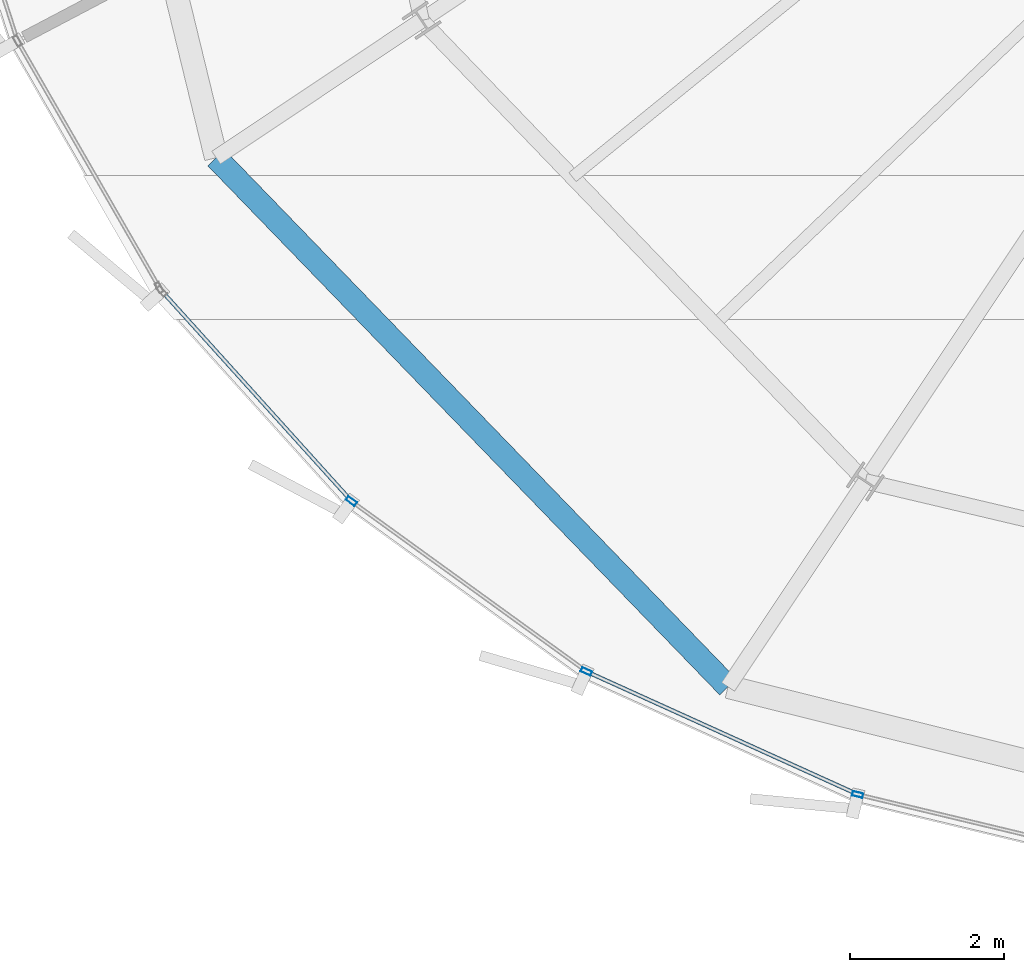
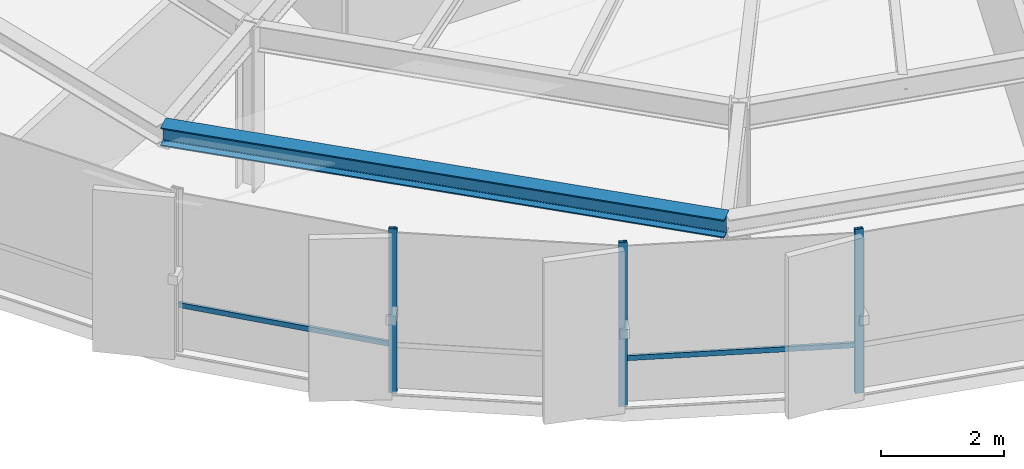
# One storey, part 2 of 35: 5 members, 1 beam, 1 element without a shape of its own.
"""IFC4 building model written with IfcOpenShell, lengths in metres."""

from ifc_helpers import new_model, si_unit, direction, frame, origin, origin_2d, place, context, subcontext, project, spatial, hollow_rectangle, i_section, extrude, source, transform, mapped, material, layer, layer_set, material_profile, profile_set, type_object, element, aggregate, save


model = new_model("IFC4")

# Units and contexts
model_context = context("Model", 3, precision=1e-05, world=origin(), true_north=direction((0.0, 1.0)))
body_context = subcontext(model_context, "Body", "Model", "MODEL_VIEW")
ifc_project = project(units=[si_unit("LENGTHUNIT", "METRE"), si_unit("AREAUNIT", "SQUARE_METRE"), si_unit("VOLUMEUNIT", "CUBIC_METRE"), si_unit("PLANEANGLEUNIT", "RADIAN"), si_unit("MASSUNIT", "GRAM", prefix="KILO"), si_unit("THERMODYNAMICTEMPERATUREUNIT", "KELVIN")], contexts=[model_context])

# Site, building, storey
site_placement = place(None, origin())
site = spatial("IfcSite", under=ifc_project, at=site_placement, CompositionType="ELEMENT")
building_placement = place(site_placement, origin())
building = spatial("IfcBuilding", under=site, at=building_placement, Name="Kethvar Cultural Tower", CompositionType="ELEMENT")
storey_placement = place(building_placement, frame((0.0, 0.0, 179.89990234375)))
storey = spatial("IfcBuildingStorey", under=building, at=storey_placement, Name="L46", CompositionType="ELEMENT", Elevation=179.89990234375)

# Beam
ifc_material_1 = material(Name="Steel S355J2", Category="steel")
ifc_material_profile_1 = material_profile(ifc_material_1, i_section(OverallWidth=0.300048828125, OverallDepth=0.360107421875, WebThickness=0.012451171875, FlangeThickness=0.0224609375, FilletRadius=0.027099609375, at=origin_2d()), Name="Steel S355J2 — HEB360")
ifc_profile_set_1 = profile_set([ifc_material_profile_1], Name="Steel S355J2 — HEB360")
beam_type = type_object("IfcBeamType", Name="BM-SP360", PredefinedType="SPANDREL", material=ifc_profile_set_1)
shared_shape_1 = source(origin(), body_context, "Body", "SweptSolid", [
    extrude(i_section(OverallWidth=0.300048828125, OverallDepth=0.360107421875, WebThickness=0.012451171875, FlangeThickness=0.0224609375, FilletRadius=0.027099609375, at=origin_2d()), origin(), (0.0, 0.0, 1.0), 9.531982421875),
])
beam_placement = place(storey_placement, frame((26.556884765625, 14.27392578125, 3.078125), z_axis=(0.695343772208, -0.71867728394, 0.0), x_axis=(0.71867728394, 0.695343772208, 0.0)))
element("IfcBeam", 1, at=beam_placement, inside=storey, type_object=beam_type, Name="L46 Perimeter Spandrel Beam SP-10", PredefinedType="SPANDREL", context=body_context, shape_type="MappedRepresentation", body=[
    mapped(shared_shape_1, transform((0.0, 0.0, 0.0), scale=1.0)),
])

# Curtain wall, members
ifc_material_2 = material(Name="Aluminium 6063-T6", Category="aluminium")
ifc_layer = layer(ifc_material_2, 0.179931640625, Name="Aluminium 6063-T6", Category="aluminium")
ifc_layer_set = layer_set([ifc_layer], Name="Aluminium 6063-T6 (180 mm)")
curtain_wall_type = type_object("IfcCurtainWallType", Name="CW-SYS-04-Z34", PredefinedType="NOTDEFINED", material=ifc_layer_set)
curtain_wall_placement = place(storey_placement, origin())
curtain_wall = element("IfcCurtainWall", 2, at=curtain_wall_placement, inside=storey, type_object=curtain_wall_type, Name="L46 Curtain Wall Run 04", PredefinedType="NOTDEFINED")
ifc_material_profile_2 = material_profile(ifc_material_2, hollow_rectangle(XDim=0.06005859375, YDim=0.139892578125, WallThickness=0.0048828125, at=origin_2d()), Name="Aluminium 6063-T6 — RHS140x60x5")
ifc_profile_set_2 = profile_set([ifc_material_profile_2], Name="Aluminium 6063-T6 — RHS140x60x5")
member_type_1 = type_object("IfcMemberType", Name="CW-SYS-04-Z34-MUL", PredefinedType="MULLION", material=ifc_profile_set_2)
shared_shape_2 = source(origin(), body_context, "Body", "SweptSolid", [
    extrude(hollow_rectangle(XDim=0.06005859375, YDim=0.139892578125, WallThickness=0.0048828125, at=origin_2d()), origin(), (0.0, 0.0, 1.0), 3.260009765625),
])
member_1_placement = place(storey_placement, frame((28.307861328125, 9.827880859375, 0.0), z_axis=(0.0, 0.0, 1.0), x_axis=(0.58638649454, 0.810031406194, 0.0)))
member_1 = element("IfcMember", 3, at=member_1_placement, type_object=member_type_1, Name="CW-L46-R04 Mullion 2", PredefinedType="MULLION", context=body_context, shape_type="MappedRepresentation", body=[
    mapped(shared_shape_2, transform((0.0, 0.0, 0.0), scale=1.0)),
])
member_2_placement = place(storey_placement, frame((31.35009765625, 7.623046875, 0.0), z_axis=(0.0, 0.0, 1.0), x_axis=(0.4125798452, 0.910921440814, 0.0)))
member_2 = element("IfcMember", 4, at=member_2_placement, type_object=member_type_1, Name="CW-L46-R04 Mullion 3", PredefinedType="MULLION", context=body_context, shape_type="MappedRepresentation", body=[
    mapped(shared_shape_2, transform((0.0, 0.0, 0.0), scale=1.0)),
])
member_3_placement = place(storey_placement, frame((34.8623046875, 6.030029296875, 0.0), z_axis=(0.0, 0.0, 1.0), x_axis=(0.2334114216, 0.972378068586, 0.0)))
member_3 = element("IfcMember", 5, at=member_3_placement, type_object=member_type_1, Name="CW-L46-R04 Mullion 4", PredefinedType="MULLION", context=body_context, shape_type="MappedRepresentation", body=[
    mapped(shared_shape_2, transform((0.0, 0.0, 0.0), scale=1.0)),
])
ifc_material_profile_3 = material_profile(ifc_material_2, hollow_rectangle(XDim=0.050048828125, YDim=0.10009765625, WallThickness=0.00390625, at=origin_2d()), Name="Aluminium 6063-T6 — RHS100x50x4")
ifc_profile_set_3 = profile_set([ifc_material_profile_3], Name="Aluminium 6063-T6 — RHS100x50x4")
member_type_2 = type_object("IfcMemberType", Name="CW-SYS-04-Z34-TRN", PredefinedType="USERDEFINED", material=ifc_profile_set_3)
shared_shape_3 = source(origin(), body_context, "Body", "SweptSolid", [
    extrude(hollow_rectangle(XDim=0.050048828125, YDim=0.10009765625, WallThickness=0.00390625, at=origin_2d()), origin(), (0.0, 0.0, 1.0), 3.639404296875),
])
member_4_placement = place(storey_placement, frame((25.856689453125, 12.545166015625, 0.9501953125), z_axis=(0.670305325807, -0.742085419743, 0.0), x_axis=(0.742085419743, 0.670305325807, 0.0)))
member_4 = element("IfcMember", 6, at=member_4_placement, type_object=member_type_2, Name="CW-L46-R04 Transom 1", ObjectType="TRANSOM", PredefinedType="USERDEFINED", context=body_context, shape_type="MappedRepresentation", body=[
    mapped(shared_shape_3, transform((0.0, 0.0, 0.0), scale=1.0)),
])
shared_shape_4 = source(origin(), body_context, "Body", "SweptSolid", [
    extrude(hollow_rectangle(XDim=0.050048828125, YDim=0.10009765625, WallThickness=0.00390625, at=origin_2d()), origin(), (0.0, 0.0, 1.0), 3.790771484375),
])
member_5_placement = place(storey_placement, frame((31.389404296875, 7.605224609375, 0.9501953125), z_axis=(0.910901661918, -0.412623511588, 0.0), x_axis=(0.412623511588, 0.910901661918, 0.0)))
member_5 = element("IfcMember", 7, at=member_5_placement, type_object=member_type_2, Name="CW-L46-R04 Transom 3", ObjectType="TRANSOM", PredefinedType="USERDEFINED", context=body_context, shape_type="MappedRepresentation", body=[
    mapped(shared_shape_4, transform((0.0, 0.0, 0.0), scale=1.0)),
])
aggregate(curtain_wall, [member_1, member_2, member_3, member_4, member_5])

save(model, "model.ifc")
